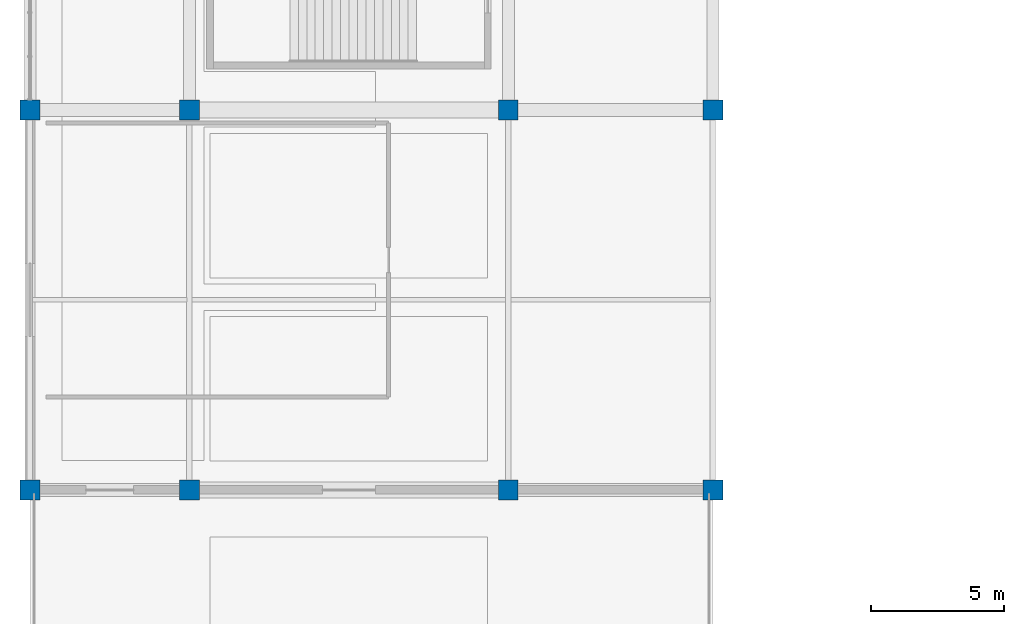
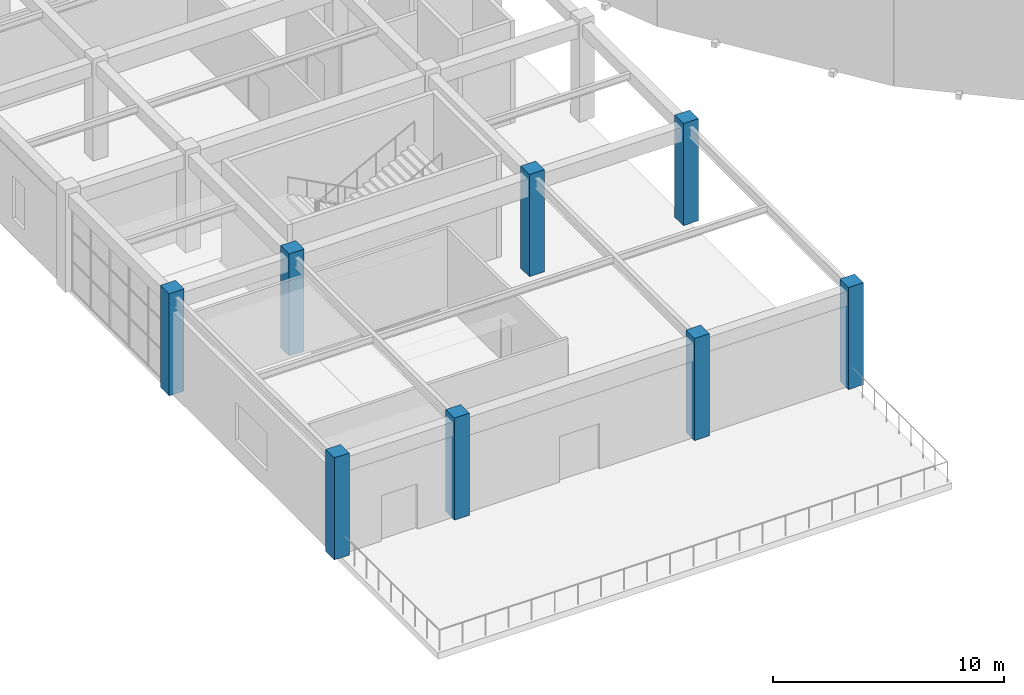
# One storey, part 1 of 70: 8 columns.
"""IFC4 building model written with IfcOpenShell, lengths in metres."""

from ifc_helpers import new_model, si_unit, direction, frame, origin, origin_2d, place, context, subcontext, project, spatial, rectangle, extrude, material, material_profile, profile_set, type_object, element, save


model = new_model("IFC4")

# Units and contexts
model_context = context("Model", 3, precision=1e-05, world=origin(), true_north=direction((0.0, 1.0)))
body_context = subcontext(model_context, "Body", "Model", "MODEL_VIEW")
ifc_project = project(units=[si_unit("LENGTHUNIT", "METRE"), si_unit("AREAUNIT", "SQUARE_METRE"), si_unit("VOLUMEUNIT", "CUBIC_METRE"), si_unit("PLANEANGLEUNIT", "RADIAN"), si_unit("MASSUNIT", "GRAM", prefix="KILO")], contexts=[model_context])

# Site, building, storey
site_placement = place(None, origin())
site = spatial("IfcSite", under=ifc_project, at=site_placement, CompositionType="ELEMENT")
building_placement = place(site_placement, origin())
building = spatial("IfcBuilding", under=site, at=building_placement, Name="Cuetzalor Civic Arena", CompositionType="ELEMENT")
storey_placement = place(building_placement, frame((0.0, 0.0, 21.0)))
storey = spatial("IfcBuildingStorey", under=building, at=storey_placement, Name="L04", CompositionType="ELEMENT", Elevation=21.0)

# Columns
ifc_material = material(Name="Concrete C40/50", Category="concrete")
ifc_material_profile = material_profile(ifc_material, rectangle(XDim=0.75, YDim=0.75, at=origin_2d()), Name="RC 750x750")
ifc_profile_set = profile_set([ifc_material_profile], Name="Concrete C40/50")
column_type = type_object("IfcColumnType", Name="ConcreteColumn_750", PredefinedType="COLUMN", material=ifc_profile_set)
for number, where, z_axis, x_axis, name in (
    (1, (-82.0, -48.300048828125, 0.0), (0.0, 0.0, 1.0), (1.0, 0.0, 0.0), "Column V4W-C-01-02 L04"),
    (2, (-82.0, -34.0, 0.0), (0.0, 0.0, 1.0), (1.0, 0.0, 0.0), "Column V4W-C-01-03 L04"),
    (3, (-76.0, -48.300048828125, 0.0), (0.0, 0.0, 1.0), (1.0, 0.0, 0.0), "Column V4W-C-02-02 L04"),
    (4, (-76.0, -34.0, 0.0), (0.0, 0.0, 1.0), (1.0, 0.0, 0.0), "Column V4W-C-02-03 L04"),
    (5, (-64.0, -48.300048828125, 0.0), (0.0, 0.0, 1.0), (1.0, 0.0, 0.0), "Column V4W-C-03-02 L04"),
    (6, (-64.0, -34.0, 0.0), (0.0, 0.0, 1.0), (1.0, 0.0, 0.0), "Column V4W-C-03-03 L04"),
    (7, (-56.300048828125, -48.300048828125, 0.0), (0.0, 0.0, 1.0), (1.0, 0.0, 0.0), "Column V4W-C-04-02 L04"),
    (8, (-56.300048828125, -34.0, 0.0), (0.0, 0.0, 1.0), (1.0, 0.0, 0.0), "Column V4W-C-04-03 L04"),
):
    element("IfcColumn", number, at=place(storey_placement, frame(where, z_axis=z_axis, x_axis=x_axis)), inside=storey, type_object=column_type, Name=name, PredefinedType="COLUMN", context=body_context, shape_type="SweptSolid", body=[
        extrude(rectangle(XDim=0.75, YDim=0.75, at=origin_2d()), origin(), (0.0, 0.0, 1.0), 5.39990234375),
    ])

save(model, "model.ifc")
